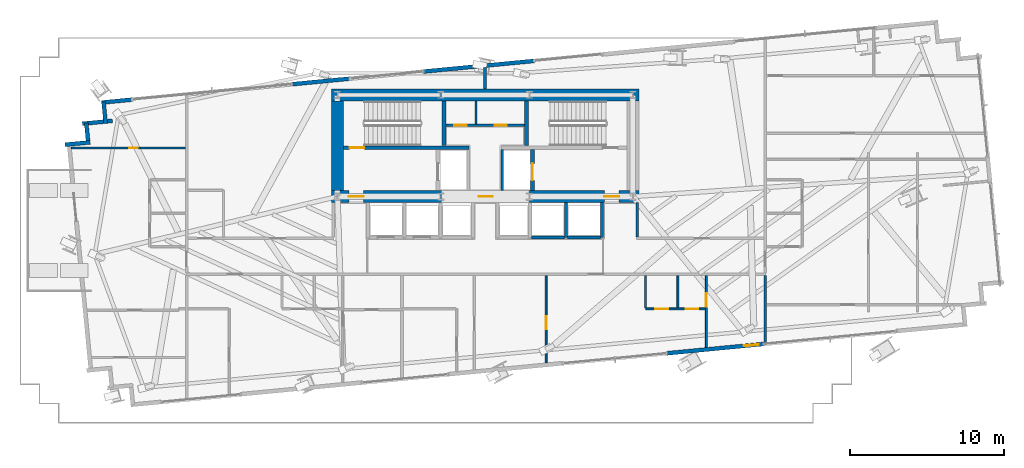
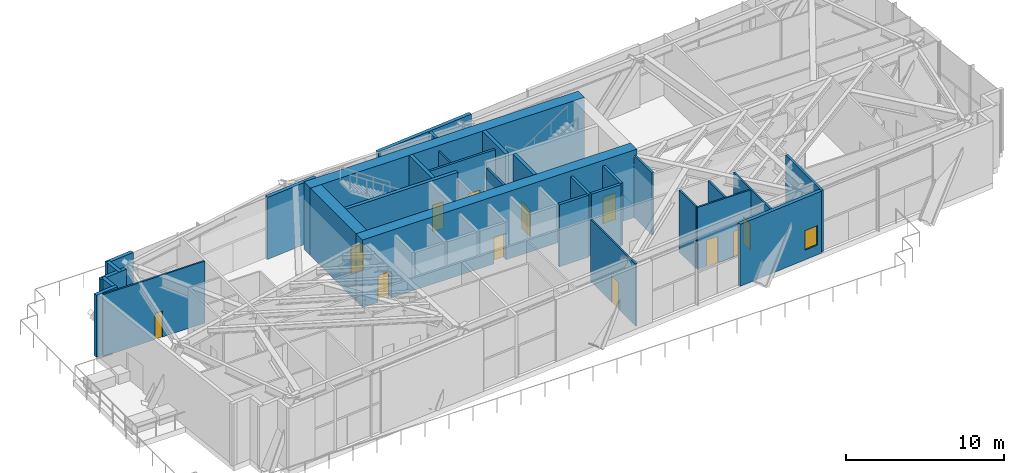
# One storey, part 22 of 28: 31 walls, 12 doors, 1 window, 13 openings.
"""IFC4 building model written with IfcOpenShell, lengths in metres."""

from ifc_helpers import new_model, si_unit, direction, frame, frame_2d, origin, place, context, subcontext, project, spatial, rectangle, extrude, source, transform, mapped, material, layer, layer_set, type_object, type_shapes, element, fill, save


model = new_model("IFC4")

# Units and contexts
model_context = context("Model", 3, precision=1e-05, world=origin(), true_north=direction((0.0, 1.0)))
body_context = subcontext(model_context, "Body", "Model", "MODEL_VIEW")
ifc_project = project(units=[si_unit("LENGTHUNIT", "METRE"), si_unit("AREAUNIT", "SQUARE_METRE"), si_unit("VOLUMEUNIT", "CUBIC_METRE"), si_unit("PLANEANGLEUNIT", "RADIAN"), si_unit("MASSUNIT", "GRAM", prefix="KILO")], contexts=[model_context])

# Site, building, storey
site_placement = place(None, origin())
site = spatial("IfcSite", under=ifc_project, at=site_placement, CompositionType="ELEMENT")
building_placement = place(site_placement, origin())
building = spatial("IfcBuilding", under=site, at=building_placement, Name="Astriad Promenade Condominiums", CompositionType="ELEMENT")
storey_placement = place(building_placement, frame((0.0, 0.0, 72.60009765625)))
storey = spatial("IfcBuildingStorey", under=building, at=storey_placement, Name="L20", CompositionType="ELEMENT", Elevation=72.60009765625)

# Wall, openings, doors
ifc_material_1 = material(Name="Concrete C80/95", Category="concrete")
ifc_layer_1 = layer(ifc_material_1, 0.800048828125)
ifc_layer_set_1 = layer_set([ifc_layer_1], Name="Concrete C80/95")
wall_type_1 = type_object("IfcWallType", Name="CW-SHEAR-800", PredefinedType="SHEAR", material=ifc_layer_set_1)
wall_1_placement = place(storey_placement, frame((26.0, 17.39990234375, 0.0), z_axis=(0.0, 0.0, 1.0), x_axis=(1.0, 0.0, 0.0)))
wall_1 = element("IfcWall", 1, at=wall_1_placement, inside=storey, type_object=wall_type_1, Name="CW-CORE-S-L20", PredefinedType="SHEAR", context=body_context, shape_type="SweptSolid", body=[
    extrude(rectangle(XDim=20.0, YDim=0.800048828125, at=frame_2d((10.0, 0.0))), origin(), (0.0, 0.0, 1.0), 5.199951171875),
])
opening_1_placement = place(wall_1_placement, frame((1.14990234375, 0.0, 0.0)))
opening_1 = element("IfcOpeningElement", 2, at=opening_1_placement, cuts=wall_1, Name="Opening FD90-ST-095", PredefinedType="OPENING", context=body_context, shape_type="SweptSolid", body=[
    extrude(rectangle(XDim=0.949951171875, YDim=2.06005859375, at=frame_2d((0.47509765625, 1.030029296875))), frame((0.0, 0.409912109375, 0.0), z_axis=(0.0, -1.0, 0.0), x_axis=(1.0, 0.0, 0.0)), (0.0, 0.0, 1.0), 0.820068359375),
])
opening_2_placement = place(wall_1_placement, frame((9.580078125, 0.0, 0.0)))
opening_2 = element("IfcOpeningElement", 3, at=opening_2_placement, cuts=wall_1, Name="Opening FD60-CSL-090", PredefinedType="OPENING", context=body_context, shape_type="SweptSolid", body=[
    extrude(rectangle(XDim=0.89990234375, YDim=2.06005859375, at=frame_2d((0.449951171875, 1.030029296875))), frame((0.0, 0.409912109375, 0.0), z_axis=(0.0, -1.0, 0.0), x_axis=(1.0, 0.0, 0.0)), (0.0, 0.0, 1.0), 0.820068359375),
])
opening_3_placement = place(wall_1_placement, frame((17.75, 0.0, 0.0)))
opening_3 = element("IfcOpeningElement", 4, at=opening_3_placement, cuts=wall_1, Name="Opening FD90-ST-095", PredefinedType="OPENING", context=body_context, shape_type="SweptSolid", body=[
    extrude(rectangle(XDim=0.949951171875, YDim=2.06005859375, at=frame_2d((0.47509765625, 1.030029296875))), frame((0.0, 0.409912109375, 0.0), z_axis=(0.0, -1.0, 0.0), x_axis=(1.0, 0.0, 0.0)), (0.0, 0.0, 1.0), 0.820068359375),
])
ifc_material_2 = material(Name="Fire-Rated Hollow Metal Stair Door")
door_type_1 = type_object("IfcDoorType", Name="FD90-ST-095", OperationType="NOTDEFINED", PredefinedType="DOOR", material=ifc_material_2)
shared_shape_1 = source(origin(), body_context, "Body", "SweptSolid", [
    extrude(rectangle(XDim=0.949951171875, YDim=2.06005859375, at=frame_2d((0.47509765625, 1.030029296875))), frame((0.0, 0.02490234375, 0.0), z_axis=(0.0, -1.0, 0.0), x_axis=(1.0, 0.0, 0.0)), (0.0, 0.0, 1.0), 0.050048828125),
])
type_shapes(door_type_1, [shared_shape_1])
door_1_placement = place(opening_1_placement, origin())
door_1 = element("IfcDoor", 5, at=door_1_placement, inside=storey, type_object=door_type_1, Name="D-FFW-L20", OperationType="SINGLE_SWING_LEFT", OverallHeight=2.06005859375, OverallWidth=0.949951171875, PredefinedType="DOOR", context=body_context, shape_type="MappedRepresentation", body=[
    mapped(shared_shape_1, transform((0.0, 0.0, 0.0), scale=1.0)),
])
fill(opening_1, door_1)
door_2_placement = place(opening_3_placement, origin())
door_2 = element("IfcDoor", 6, at=door_2_placement, inside=storey, type_object=door_type_1, Name="D-FFE-L20", OperationType="SINGLE_SWING_RIGHT", OverallHeight=2.06005859375, OverallWidth=0.949951171875, PredefinedType="DOOR", context=body_context, shape_type="MappedRepresentation", body=[
    mapped(shared_shape_1, transform((0.0, 0.0, 0.0), scale=1.0)),
])
fill(opening_3, door_2)
ifc_material_3 = material(Name="Fire-Rated Service Lobby Door")
door_type_2 = type_object("IfcDoorType", Name="FD60-CSL-090", OperationType="NOTDEFINED", PredefinedType="DOOR", material=ifc_material_3)
shared_shape_2 = source(origin(), body_context, "Body", "SweptSolid", [
    extrude(rectangle(XDim=0.89990234375, YDim=2.06005859375, at=frame_2d((0.449951171875, 1.030029296875))), frame((0.0, 0.02490234375, 0.0), z_axis=(0.0, -1.0, 0.0), x_axis=(1.0, 0.0, 0.0)), (0.0, 0.0, 1.0), 0.050048828125),
])
type_shapes(door_type_2, [shared_shape_2])
door_3_placement = place(opening_2_placement, origin())
door_3 = element("IfcDoor", 7, at=door_3_placement, inside=storey, type_object=door_type_2, Name="D-CSL-L20", OperationType="SINGLE_SWING_RIGHT", OverallHeight=2.06005859375, OverallWidth=0.89990234375, PredefinedType="DOOR", context=body_context, shape_type="MappedRepresentation", body=[
    mapped(shared_shape_2, transform((0.0, 0.0, 0.0), scale=1.0)),
])
fill(opening_2, door_3)

# Walls
wall_2_placement = place(storey_placement, frame((26.0, 24.0, 0.0), z_axis=(0.0, 0.0, 1.0), x_axis=(1.0, 0.0, 0.0)))
element("IfcWall", 8, at=wall_2_placement, inside=storey, type_object=wall_type_1, Name="CW-CORE-N-L20", PredefinedType="SHEAR", context=body_context, shape_type="SweptSolid", body=[
    extrude(rectangle(XDim=20.0, YDim=0.800048828125, at=frame_2d((10.0, 0.0))), origin(), (0.0, 0.0, 1.0), 5.199951171875),
])
wall_3_placement = place(storey_placement, frame((26.39990234375, 17.802001953125, 0.0), z_axis=(0.0, 0.0, 1.0), x_axis=(0.0, 1.0, 0.0)))
element("IfcWall", 9, at=wall_3_placement, inside=storey, type_object=wall_type_1, Name="CW-CORE-W-L20", PredefinedType="SHEAR", context=body_context, shape_type="SweptSolid", body=[
    extrude(rectangle(XDim=5.7958984375, YDim=0.800048828125, at=frame_2d((2.89794921875, 0.0))), origin(), (0.0, 0.0, 1.0), 5.199951171875),
])

# Wall, opening, door
ifc_material_4 = material(Name="Concrete C50/60", Category="concrete")
ifc_layer_2 = layer(ifc_material_4, 0.25)
ifc_layer_set_2 = layer_set([ifc_layer_2], Name="Concrete C50/60")
wall_type_2 = type_object("IfcWallType", Name="WALL-CORE-INT-250", PredefinedType="SOLIDWALL", material=ifc_layer_set_2)
wall_4_placement = place(storey_placement, frame((26.802001953125, 20.574951171875, 0.0), z_axis=(0.0, 0.0, 1.0), x_axis=(1.0, 0.0, 0.0)))
wall_4 = element("IfcWall", 10, at=wall_4_placement, inside=storey, type_object=wall_type_2, Name="CW-INT-H1-L20", PredefinedType="SOLIDWALL", context=body_context, shape_type="SweptSolid", body=[
    extrude(rectangle(XDim=8.14794921875, YDim=0.25, at=frame_2d((4.073974609375, 0.0))), origin(), (0.0, 0.0, 1.0), 5.199951171875),
])
opening_4_placement = place(wall_4_placement, frame((0.39794921875, 0.0, 0.0)))
opening_4 = element("IfcOpeningElement", 11, at=opening_4_placement, cuts=wall_4, Name="Opening FD90-ST-095", PredefinedType="OPENING", context=body_context, shape_type="SweptSolid", body=[
    extrude(rectangle(XDim=0.949951171875, YDim=2.06005859375, at=frame_2d((0.47509765625, 1.030029296875))), frame((0.0, 0.135009765625, 0.0), z_axis=(0.0, -1.0, 0.0), x_axis=(1.0, 0.0, 0.0)), (0.0, 0.0, 1.0), 0.27001953125),
])
door_4_placement = place(opening_4_placement, origin())
door_4 = element("IfcDoor", 12, at=door_4_placement, inside=storey, type_object=door_type_1, Name="D-ST1-L20", OperationType="SINGLE_SWING_RIGHT", OverallHeight=2.06005859375, OverallWidth=0.949951171875, PredefinedType="DOOR", context=body_context, shape_type="MappedRepresentation", body=[
    mapped(shared_shape_1, transform((0.0, 0.0, 0.0), scale=1.0)),
])
fill(opening_4, door_4)

# Walls
for number, where, z_axis, x_axis, name in (
    (13, (33.324951171875, 20.701904296875, 0.0), (0.0, 0.0, 1.0), (0.0, 1.0, 0.0), "CW-ST1-E-L20"),
    (14, (38.675048828125, 20.701904296875, 0.0), (0.0, 0.0, 1.0), (0.0, 1.0, 0.0), "CW-ST2-W-L20"),
):
    element("IfcWall", number, at=place(storey_placement, frame(where, z_axis=z_axis, x_axis=x_axis)), inside=storey, type_object=wall_type_2, Name=name, PredefinedType="SOLIDWALL", context=body_context, shape_type="SweptSolid", body=[
        extrude(rectangle(XDim=2.89599609375, YDim=0.25, at=frame_2d((1.447998046875, 0.0))), origin(), (0.0, 0.0, 1.0), 5.199951171875),
    ])

# Wall, opening, door
wall_5_placement = place(storey_placement, frame((39.074951171875, 17.802001953125, 0.0), z_axis=(0.0, 0.0, 1.0), x_axis=(0.0, 1.0, 0.0)))
wall_5 = element("IfcWall", 15, at=wall_5_placement, inside=storey, type_object=wall_type_2, Name="CW-FFL2-E-L20", PredefinedType="SOLIDWALL", context=body_context, shape_type="SweptSolid", body=[
    extrude(rectangle(XDim=2.64599609375, YDim=0.25, at=frame_2d((1.322998046875, 0.0))), origin(), (0.0, 0.0, 1.0), 5.199951171875),
])
opening_5_placement = place(wall_5_placement, frame((0.64794921875, 0.0, 0.0)))
opening_5 = element("IfcOpeningElement", 16, at=opening_5_placement, cuts=wall_5, Name="Opening LD-FFL-1122", PredefinedType="OPENING", context=body_context, shape_type="SweptSolid", body=[
    extrude(rectangle(XDim=1.10009765625, YDim=2.080078125, at=frame_2d((0.550048828125, 1.0400390625))), frame((0.0, 0.135009765625, 0.0), z_axis=(0.0, -1.0, 0.0), x_axis=(1.0, 0.0, 0.0)), (0.0, 0.0, 1.0), 0.27001953125),
])
ifc_material_5 = material(Name="Brushed Stainless Steel Fire Elevator Landing Door", Category="steel")
door_type_3 = type_object("IfcDoorType", Name="LD-FFL-1122", OperationType="NOTDEFINED", PredefinedType="DOOR", material=ifc_material_5)
shared_shape_3 = source(origin(), body_context, "Body", "SweptSolid", [
    extrude(rectangle(XDim=1.10009765625, YDim=2.080078125, at=frame_2d((0.550048828125, 1.0400390625))), frame((0.0, 0.02490234375, 0.0), z_axis=(0.0, -1.0, 0.0), x_axis=(1.0, 0.0, 0.0)), (0.0, 0.0, 1.0), 0.050048828125),
])
type_shapes(door_type_3, [shared_shape_3])
door_5_placement = place(opening_5_placement, origin())
door_5 = element("IfcDoor", 17, at=door_5_placement, inside=storey, type_object=door_type_3, Name="Elevator Landing Door FFL-2 (L20)", OperationType="SLIDING_TO_RIGHT", OverallHeight=2.080078125, OverallWidth=1.10009765625, PredefinedType="DOOR", context=body_context, shape_type="MappedRepresentation", body=[
    mapped(shared_shape_3, transform((0.0, 0.0, 0.0), scale=1.0)),
])
fill(opening_5, door_5)

# Wall
ifc_material_6 = material(Name="Fire-Rated Gypsum Partition")
ifc_layer_3 = layer(ifc_material_6, 0.159912109375)
ifc_layer_set_3 = layer_set([ifc_layer_3], Name="Fire-Rated Gypsum Partition")
wall_type_3 = type_object("IfcWallType", Name="WALL-CORR-160", PredefinedType="PARTITIONING", material=ifc_layer_set_3)
wall_6_placement = place(storey_placement, frame((37.10009765625, 17.802001953125, 0.0), z_axis=(0.0, 0.0, 1.0), x_axis=(0.0, 1.0, 0.0)))
element("IfcWall", 18, at=wall_6_placement, inside=storey, type_object=wall_type_3, Name="CW-FFL2-W-L20", PredefinedType="PARTITIONING", context=body_context, shape_type="SweptSolid", body=[
    extrude(rectangle(XDim=2.64599609375, YDim=0.159912109375, at=frame_2d((1.322998046875, 0.0))), origin(), (0.0, 0.0, 1.0), 4.77978515625),
])

# Wall, openings, doors
wall_7_placement = place(storey_placement, frame((33.451904296875, 22.030029296875, 0.0), z_axis=(0.0, 0.0, 1.0), x_axis=(1.0, 0.0, 0.0)))
wall_7 = element("IfcWall", 19, at=wall_7_placement, inside=storey, type_object=wall_type_3, Name="CW-AUX-N-L20", PredefinedType="PARTITIONING", context=body_context, shape_type="SweptSolid", body=[
    extrude(rectangle(XDim=5.09619140625, YDim=0.159912109375, at=frame_2d((2.548095703125, 0.0))), origin(), (0.0, 0.0, 1.0), 4.77978515625),
])
opening_6_placement = place(wall_7_placement, frame((0.5380859375, 0.0, 0.0)))
opening_6 = element("IfcOpeningElement", 20, at=opening_6_placement, cuts=wall_7, Name="Opening FD60-SV-080", PredefinedType="OPENING", context=body_context, shape_type="SweptSolid", body=[
    extrude(rectangle(XDim=0.800048828125, YDim=2.050048828125, at=frame_2d((0.39990234375, 1.02490234375))), frame((0.0, 0.08984375, 0.0), z_axis=(0.0, -1.0, 0.0), x_axis=(1.0, 0.0, 0.0)), (0.0, 0.0, 1.0), 0.179931640625),
])
opening_7_placement = place(wall_7_placement, frame((3.157958984375, 0.0, 0.0)))
opening_7 = element("IfcOpeningElement", 21, at=opening_7_placement, cuts=wall_7, Name="Opening FD60-SV-080", PredefinedType="OPENING", context=body_context, shape_type="SweptSolid", body=[
    extrude(rectangle(XDim=0.800048828125, YDim=2.050048828125, at=frame_2d((0.39990234375, 1.02490234375))), frame((0.0, 0.08984375, 0.0), z_axis=(0.0, -1.0, 0.0), x_axis=(1.0, 0.0, 0.0)), (0.0, 0.0, 1.0), 0.179931640625),
])
ifc_material_7 = material(Name="Fire-Rated Riser Closet Door")
door_type_4 = type_object("IfcDoorType", Name="FD60-SV-080", OperationType="NOTDEFINED", PredefinedType="DOOR", material=ifc_material_7)
shared_shape_4 = source(origin(), body_context, "Body", "SweptSolid", [
    extrude(rectangle(XDim=0.800048828125, YDim=2.050048828125, at=frame_2d((0.39990234375, 1.02490234375))), frame((0.0, 0.02490234375, 0.0), z_axis=(0.0, -1.0, 0.0), x_axis=(1.0, 0.0, 0.0)), (0.0, 0.0, 1.0), 0.050048828125),
])
type_shapes(door_type_4, [shared_shape_4])
door_6_placement = place(opening_6_placement, origin())
door_6 = element("IfcDoor", 22, at=door_6_placement, inside=storey, type_object=door_type_4, Name="D-AUX1-L20", OperationType="SINGLE_SWING_RIGHT", OverallHeight=2.050048828125, OverallWidth=0.800048828125, PredefinedType="DOOR", context=body_context, shape_type="MappedRepresentation", body=[
    mapped(shared_shape_4, transform((0.0, 0.0, 0.0), scale=1.0)),
])
fill(opening_6, door_6)
door_7_placement = place(opening_7_placement, origin())
door_7 = element("IfcDoor", 23, at=door_7_placement, inside=storey, type_object=door_type_4, Name="D-AUX2-L20", OperationType="SINGLE_SWING_LEFT", OverallHeight=2.050048828125, OverallWidth=0.800048828125, PredefinedType="DOOR", context=body_context, shape_type="MappedRepresentation", body=[
    mapped(shared_shape_4, transform((0.0, 0.0, 0.0), scale=1.0)),
])
fill(opening_7, door_7)

# Walls
wall_8_placement = place(storey_placement, frame((54.199951171875, 7.7783203125, 0.0), z_axis=(0.0, 0.0, 1.0), x_axis=(0.0, 1.0, 0.0)))
element("IfcWall", 24, at=wall_8_placement, inside=storey, type_object=wall_type_3, Name="PT-COR-E-L20", PredefinedType="PARTITIONING", context=body_context, shape_type="SweptSolid", body=[
    extrude(rectangle(XDim=4.48974609375, YDim=0.159912109375, at=frame_2d((2.244873046875, 0.0))), origin(), (0.0, 0.0, 1.0), 4.77978515625),
])
wall_9_placement = place(storey_placement, frame((45.8798828125, 14.761962890625, 0.0), z_axis=(0.0, 0.0, 1.0), x_axis=(0.0, 1.0, 0.0)))
element("IfcWall", 25, at=wall_9_placement, inside=storey, type_object=wall_type_3, Name="PT-ESPUR-E-L20", PredefinedType="PARTITIONING", context=body_context, shape_type="SweptSolid", body=[
    extrude(rectangle(XDim=2.236083984375, YDim=0.159912109375, at=frame_2d((1.1181640625, 0.0))), origin(), (0.0, 0.0, 1.0), 4.77978515625),
])
ifc_material_8 = material(Name="Acoustic Double-Stud Gypsum Partition")
ifc_layer_4 = layer(ifc_material_8, 0.199951171875)
ifc_layer_set_4 = layer_set([ifc_layer_4], Name="Acoustic Double-Stud Gypsum Partition")
wall_type_4 = type_object("IfcWallType", Name="WALL-DEMISING-200", PredefinedType="PARTITIONING", material=ifc_layer_set_4)
wall_10_placement = place(storey_placement, frame((36.0, 24.402099609375, 0.0), z_axis=(0.0, 0.0, 1.0), x_axis=(0.0, 1.0, 0.0)))
element("IfcWall", 26, at=wall_10_placement, inside=storey, type_object=wall_type_4, Name="PT-NC-MID-L20", PredefinedType="PARTITIONING", context=body_context, shape_type="SweptSolid", body=[
    extrude(rectangle(XDim=1.372802734375, YDim=0.199951171875, at=frame_2d((0.6865234375, 0.0))), origin(), (0.0, 0.0, 1.0), 4.77978515625),
])
ifc_material_9 = material(Name="Precast concrete C50/60", Category="concrete")
ifc_layer_5 = layer(ifc_material_9, 0.260009765625)
ifc_layer_set_5 = layer_set([ifc_layer_5], Name="Precast concrete C50/60")
wall_type_5 = type_object("IfcWallType", Name="WALL-EXT-TWR-260", PredefinedType="STANDARD", material=ifc_layer_set_5)
wall_11_placement = place(storey_placement, frame((8.701416015625, 20.767333984375, 0.0), z_axis=(0.0, 0.0, 1.0), x_axis=(0.995394563142, 0.095862733462, 0.0)))
element("IfcWall", 27, at=wall_11_placement, inside=storey, type_object=wall_type_5, Name="W-SER-L20-04", PredefinedType="STANDARD", context=body_context, shape_type="SweptSolid", body=[
    extrude(rectangle(XDim=1.64013671875, YDim=0.260009765625, at=frame_2d((0.820068359375, 0.0))), origin(), (0.0, 0.0, 1.0), 4.77978515625),
])
wall_12_placement = place(storey_placement, frame((10.193359375, 21.026611328125, 0.0), z_axis=(0.0, 0.0, 1.0), x_axis=(-0.095740721699, 0.995406306092, 0.0)))
element("IfcWall", 28, at=wall_12_placement, inside=storey, type_object=wall_type_5, Name="W-SER-L20-05", PredefinedType="STANDARD", context=body_context, shape_type="SweptSolid", body=[
    extrude(rectangle(XDim=1.150146484375, YDim=0.260009765625, at=frame_2d((0.5751953125, 0.0))), origin(), (0.0, 0.0, 1.0), 4.77978515625),
])
wall_13_placement = place(storey_placement, frame((9.825927734375, 22.13134765625, 0.0), z_axis=(0.0, 0.0, 1.0), x_axis=(0.995400351379, 0.095802612041, 0.0)))
element("IfcWall", 29, at=wall_13_placement, inside=storey, type_object=wall_type_5, Name="W-SER-L20-06", PredefinedType="STANDARD", context=body_context, shape_type="SweptSolid", body=[
    extrude(rectangle(XDim=1.959716796875, YDim=0.260009765625, at=frame_2d((0.97998046875, 0.0))), origin(), (0.0, 0.0, 1.0), 4.77978515625),
])
wall_14_placement = place(storey_placement, frame((11.34130859375, 22.146728515625, 0.0), z_axis=(0.0, 0.0, 1.0), x_axis=(-0.09589913835, 0.995391056452, 0.0)))
element("IfcWall", 30, at=wall_14_placement, inside=storey, type_object=wall_type_5, Name="W-SER-L20-07", PredefinedType="STANDARD", context=body_context, shape_type="SweptSolid", body=[
    extrude(rectangle(XDim=1.39501953125, YDim=0.260009765625, at=frame_2d((0.697509765625, 0.0))), origin(), (0.0, 0.0, 1.0), 4.77978515625),
])
wall_15_placement = place(storey_placement, frame((11.07958984375, 23.508056640625, 0.0), z_axis=(0.0, 0.0, 1.0), x_axis=(0.995398960025, 0.095817067274, 0.0)))
element("IfcWall", 31, at=wall_15_placement, inside=storey, type_object=wall_type_5, Name="W-SGCOL-L20-N-1", PredefinedType="STANDARD", context=body_context, shape_type="SweptSolid", body=[
    extrude(rectangle(XDim=2.000244140625, YDim=0.260009765625, at=frame_2d((1.0, 0.0))), origin(), (0.0, 0.0, 1.0), 4.77978515625),
])
wall_16_placement = place(storey_placement, frame((23.452392578125, 24.699462890625, 0.0), z_axis=(0.0, 0.0, 1.0), x_axis=(0.995396562626, 0.095841969468, 0.0)))
element("IfcWall", 32, at=wall_16_placement, inside=storey, type_object=wall_type_5, Name="W-SGCOL-L20-N-2", PredefinedType="STANDARD", context=body_context, shape_type="SweptSolid", body=[
    extrude(rectangle(XDim=3.77001953125, YDim=0.260009765625, at=frame_2d((1.885009765625, 0.0))), origin(), (0.0, 0.0, 1.0), 4.77978515625),
])
wall_17_placement = place(storey_placement, frame((31.992919921875, 25.521728515625, 0.0), z_axis=(0.0, 0.0, 1.0), x_axis=(0.99539768453, 0.095830316879, 0.0)))
element("IfcWall", 33, at=wall_17_placement, inside=storey, type_object=wall_type_5, Name="W-SGCOL-L20-N-3", PredefinedType="STANDARD", context=body_context, shape_type="SweptSolid", body=[
    extrude(rectangle(XDim=7.219970703125, YDim=0.260009765625, at=frame_2d((3.60986328125, 0.0))), origin(), (0.0, 0.0, 1.0), 4.77978515625),
])

# Wall, opening, window
wall_18_placement = place(storey_placement, frame((54.08154296875, 7.817138671875, 0.0), z_axis=(0.0, 0.0, 1.0), x_axis=(-0.995397041205, -0.095836998914, 0.0)))
wall_18 = element("IfcWall", 34, at=wall_18_placement, inside=storey, type_object=wall_type_5, Name="W-SGCOL-L20-S-2", PredefinedType="STANDARD", context=body_context, shape_type="SweptSolid", body=[
    extrude(rectangle(XDim=6.31005859375, YDim=0.260009765625, at=frame_2d((3.155029296875, 0.0))), origin(), (0.0, 0.0, 1.0), 4.77978515625),
])
opening_8_placement = place(wall_18_placement, frame((0.320068359375, 0.0, 0.75)))
opening_8 = element("IfcOpeningElement", 35, at=opening_8_placement, cuts=wall_18, Name="Opening WIN-TWR-0915", PredefinedType="OPENING", context=body_context, shape_type="SweptSolid", body=[
    extrude(rectangle(XDim=0.949951171875, YDim=1.5, at=frame_2d((0.47509765625, 0.75))), frame((0.0, 0.139892578125, 0.0), z_axis=(0.0, -1.0, 0.0), x_axis=(1.0, 0.0, 0.0)), (0.0, 0.0, 1.0), 0.280029296875),
])
ifc_material_10 = material(Name="Dark Tinted Triple-Glazed Aluminium Window", Category="aluminium")
window_type = type_object("IfcWindowType", Name="WIN-TWR-0915", PartitioningType="SINGLE_PANEL", PredefinedType="WINDOW", material=ifc_material_10)
shared_shape_5 = source(origin(), body_context, "Body", "SweptSolid", [
    extrude(rectangle(XDim=0.949951171875, YDim=1.5, at=frame_2d((0.47509765625, 0.75))), frame((0.0, 0.030029296875, 0.0), z_axis=(0.0, -1.0, 0.0), x_axis=(1.0, 0.0, 0.0)), (0.0, 0.0, 1.0), 0.06005859375),
])
type_shapes(window_type, [shared_shape_5])
window_placement = place(opening_8_placement, origin())
window = element("IfcWindow", 36, at=window_placement, inside=storey, type_object=window_type, Name="WIN-DW-L20-S2-BD1", OverallHeight=1.5, OverallWidth=0.949951171875, PartitioningType="SINGLE_PANEL", PredefinedType="WINDOW", context=body_context, shape_type="MappedRepresentation", body=[
    mapped(shared_shape_5, transform((0.0, 0.0, 0.0), scale=1.0)),
])
fill(opening_8, window)

# Wall
ifc_material_11 = material(Name="Acoustic Metal-Stud Gypsum Partition")
ifc_layer_6 = layer(ifc_material_11, 0.1201171875)
ifc_layer_set_6 = layer_set([ifc_layer_6], Name="Acoustic Metal-Stud Gypsum Partition")
wall_type_6 = type_object("IfcWallType", Name="WALL-PART-120", PredefinedType="PARTITIONING", material=ifc_layer_set_6)
wall_19_placement = place(storey_placement, frame((35.39990234375, 22.112060546875, 0.0), z_axis=(0.0, 0.0, 1.0), x_axis=(0.0, 1.0, 0.0)))
element("IfcWall", 37, at=wall_19_placement, inside=storey, type_object=wall_type_6, Name="CW-AUX-V1-L20", PredefinedType="PARTITIONING", context=body_context, shape_type="SweptSolid", body=[
    extrude(rectangle(XDim=1.48583984375, YDim=0.1201171875, at=frame_2d((0.742919921875, 0.0))), origin(), (0.0, 0.0, 1.0), 4.77978515625),
])

# Wall, opening, door
wall_20_placement = place(storey_placement, frame((50.3701171875, 7.592529296875, 0.0), z_axis=(0.0, 0.0, 1.0), x_axis=(0.0, 1.0, 0.0)))
wall_20 = element("IfcWall", 38, at=wall_20_placement, inside=storey, type_object=wall_type_6, Name="PT-L20-S2-BD1", PredefinedType="PARTITIONING", context=body_context, shape_type="SweptSolid", body=[
    extrude(rectangle(XDim=4.675537109375, YDim=0.1201171875, at=frame_2d((2.337890625, 0.0))), origin(), (0.0, 0.0, 1.0), 4.77978515625),
])
opening_9_placement = place(wall_20_placement, frame((2.632568359375, 0.0, 0.0)))
opening_9 = element("IfcOpeningElement", 39, at=opening_9_placement, cuts=wall_20, Name="Opening D-INT-090", PredefinedType="OPENING", context=body_context, shape_type="SweptSolid", body=[
    extrude(rectangle(XDim=0.89990234375, YDim=2.050048828125, at=frame_2d((0.449951171875, 1.02490234375))), frame((0.0, 0.070068359375, 0.0), z_axis=(0.0, -1.0, 0.0), x_axis=(1.0, 0.0, 0.0)), (0.0, 0.0, 1.0), 0.14013671875),
])
ifc_material_12 = material(Name="Painted Solid-Core Timber Bedroom Door", Category="wood")
door_type_5 = type_object("IfcDoorType", Name="D-INT-090", OperationType="NOTDEFINED", PredefinedType="DOOR", material=ifc_material_12)
shared_shape_6 = source(origin(), body_context, "Body", "SweptSolid", [
    extrude(rectangle(XDim=0.89990234375, YDim=2.050048828125, at=frame_2d((0.449951171875, 1.02490234375))), frame((0.0, 0.02490234375, 0.0), z_axis=(0.0, -1.0, 0.0), x_axis=(1.0, 0.0, 0.0)), (0.0, 0.0, 1.0), 0.050048828125),
])
type_shapes(door_type_5, [shared_shape_6])
door_8_placement = place(opening_9_placement, origin())
door_8 = element("IfcDoor", 40, at=door_8_placement, inside=storey, type_object=door_type_5, Name="D-BD1-L20-S2", OperationType="SINGLE_SWING_RIGHT", OverallHeight=2.050048828125, OverallWidth=0.89990234375, PredefinedType="DOOR", context=body_context, shape_type="MappedRepresentation", body=[
    mapped(shared_shape_6, transform((0.0, 0.0, 0.0), scale=1.0)),
])
fill(opening_9, door_8)

# Wall, openings, doors
wall_21_placement = place(storey_placement, frame((46.419921875, 10.10009765625, 0.0), z_axis=(0.0, 0.0, 1.0), x_axis=(1.0, 0.0, 0.0)))
wall_21 = element("IfcWall", 41, at=wall_21_placement, inside=storey, type_object=wall_type_6, Name="PT-L20-S2-PS", PredefinedType="PARTITIONING", context=body_context, shape_type="SweptSolid", body=[
    extrude(rectangle(XDim=3.88818359375, YDim=0.1201171875, at=frame_2d((1.944091796875, 0.0))), origin(), (0.0, 0.0, 1.0), 4.77978515625),
])
opening_10_placement = place(wall_21_placement, frame((0.625, 0.0, 0.0)))
opening_10 = element("IfcOpeningElement", 42, at=opening_10_placement, cuts=wall_21, Name="Opening D-INT-085", PredefinedType="OPENING", context=body_context, shape_type="SweptSolid", body=[
    extrude(rectangle(XDim=0.85009765625, YDim=2.050048828125, at=frame_2d((0.425048828125, 1.02490234375))), frame((0.0, 0.070068359375, 0.0), z_axis=(0.0, -1.0, 0.0), x_axis=(1.0, 0.0, 0.0)), (0.0, 0.0, 1.0), 0.14013671875),
])
opening_11_placement = place(wall_21_placement, frame((2.625, 0.0, 0.0)))
opening_11 = element("IfcOpeningElement", 43, at=opening_11_placement, cuts=wall_21, Name="Opening D-WET-080", PredefinedType="OPENING", context=body_context, shape_type="SweptSolid", body=[
    extrude(rectangle(XDim=0.800048828125, YDim=2.02001953125, at=frame_2d((0.39990234375, 1.010009765625))), frame((0.0, 0.070068359375, 0.0), z_axis=(0.0, -1.0, 0.0), x_axis=(1.0, 0.0, 0.0)), (0.0, 0.0, 1.0), 0.14013671875),
])
ifc_material_13 = material(Name="Moisture-Resistant Timber Bathroom Door", Category="wood")
door_type_6 = type_object("IfcDoorType", Name="D-WET-080", OperationType="NOTDEFINED", PredefinedType="DOOR", material=ifc_material_13)
shared_shape_7 = source(origin(), body_context, "Body", "SweptSolid", [
    extrude(rectangle(XDim=0.800048828125, YDim=2.02001953125, at=frame_2d((0.39990234375, 1.010009765625))), frame((0.0, 0.02490234375, 0.0), z_axis=(0.0, -1.0, 0.0), x_axis=(1.0, 0.0, 0.0)), (0.0, 0.0, 1.0), 0.050048828125),
])
type_shapes(door_type_6, [shared_shape_7])
door_9_placement = place(opening_11_placement, origin())
door_9 = element("IfcDoor", 44, at=door_9_placement, inside=storey, type_object=door_type_6, Name="D-BTH-L20-S2", OperationType="SINGLE_SWING_RIGHT", OverallHeight=2.02001953125, OverallWidth=0.800048828125, PredefinedType="DOOR", context=body_context, shape_type="MappedRepresentation", body=[
    mapped(shared_shape_7, transform((0.0, 0.0, 0.0), scale=1.0)),
])
fill(opening_11, door_9)
ifc_material_14 = material(Name="Painted Solid-Core Timber Room Door", Category="wood")
door_type_7 = type_object("IfcDoorType", Name="D-INT-085", OperationType="NOTDEFINED", PredefinedType="DOOR", material=ifc_material_14)
shared_shape_8 = source(origin(), body_context, "Body", "SweptSolid", [
    extrude(rectangle(XDim=0.85009765625, YDim=2.050048828125, at=frame_2d((0.425048828125, 1.02490234375))), frame((0.0, 0.02490234375, 0.0), z_axis=(0.0, -1.0, 0.0), x_axis=(1.0, 0.0, 0.0)), (0.0, 0.0, 1.0), 0.050048828125),
])
type_shapes(door_type_7, [shared_shape_8])
door_10_placement = place(opening_10_placement, origin())
door_10 = element("IfcDoor", 45, at=door_10_placement, inside=storey, type_object=door_type_7, Name="D-KIT-L20-S2", OperationType="SINGLE_SWING_LEFT", OverallHeight=2.050048828125, OverallWidth=0.85009765625, PredefinedType="DOOR", context=body_context, shape_type="MappedRepresentation", body=[
    mapped(shared_shape_8, transform((0.0, 0.0, 0.0), scale=1.0)),
])
fill(opening_10, door_10)

# Walls
for number, where, z_axis, x_axis, name in (
    (46, (48.52001953125, 10.162109375, 0.0), (0.0, 0.0, 1.0), (0.0, 1.0, 0.0), "PT-L20-S2-PBK"),
    (47, (46.419921875, 10.162109375, 0.0), (0.0, 0.0, 1.0), (0.0, 1.0, 0.0), "PT-L20-S2-PKW"),
):
    element("IfcWall", number, at=place(storey_placement, frame(where, z_axis=z_axis, x_axis=x_axis)), inside=storey, type_object=wall_type_6, Name=name, PredefinedType="PARTITIONING", context=body_context, shape_type="SweptSolid", body=[
        extrude(rectangle(XDim=2.10595703125, YDim=0.1201171875, at=frame_2d((1.052978515625, 0.0))), origin(), (0.0, 0.0, 1.0), 4.77978515625),
    ])

# Wall, opening, door
wall_22_placement = place(storey_placement, frame((39.9609375, 6.590087890625, 0.0), z_axis=(0.0, 0.0, 1.0), x_axis=(0.0, 1.0, 0.0)))
wall_22 = element("IfcWall", 48, at=wall_22_placement, inside=storey, type_object=wall_type_6, Name="PT-L20-S2-CAP2", PredefinedType="PARTITIONING", context=body_context, shape_type="SweptSolid", body=[
    extrude(rectangle(XDim=5.677978515625, YDim=0.1201171875, at=frame_2d((2.8388671875, 0.0))), origin(), (0.0, 0.0, 1.0), 4.77978515625),
])
opening_12_placement = place(wall_22_placement, frame((2.181884765625, 0.0, 0.0)))
opening_12 = element("IfcOpeningElement", 49, at=opening_12_placement, cuts=wall_22, Name="Opening D-INT-085", PredefinedType="OPENING", context=body_context, shape_type="SweptSolid", body=[
    extrude(rectangle(XDim=0.85009765625, YDim=2.050048828125, at=frame_2d((0.425048828125, 1.02490234375))), frame((0.0, 0.070068359375, 0.0), z_axis=(0.0, -1.0, 0.0), x_axis=(1.0, 0.0, 0.0)), (0.0, 0.0, 1.0), 0.14013671875),
])
door_11_placement = place(opening_12_placement, origin())
door_11 = element("IfcDoor", 50, at=door_11_placement, inside=storey, type_object=door_type_7, Name="D-CAP2-L20-S2", OperationType="SINGLE_SWING_RIGHT", OverallHeight=2.050048828125, OverallWidth=0.85009765625, PredefinedType="DOOR", context=body_context, shape_type="MappedRepresentation", body=[
    mapped(shared_shape_8, transform((0.0, 0.0, 0.0), scale=1.0)),
])
fill(opening_12, door_11)

wall_23_placement = place(storey_placement, frame((9.115966796875, 20.552001953125, 0.0), z_axis=(0.0, 0.0, 1.0), x_axis=(1.0, 0.0, 0.0)))
wall_23 = element("IfcWall", 51, at=wall_23_placement, inside=storey, type_object=wall_type_6, Name="PT-L20-W1-B1", PredefinedType="PARTITIONING", context=body_context, shape_type="SweptSolid", body=[
    extrude(rectangle(XDim=7.402099609375, YDim=0.1201171875, at=frame_2d((3.701171875, 0.0))), origin(), (0.0, 0.0, 1.0), 4.77978515625),
])
opening_13_placement = place(wall_23_placement, frame((3.760986328125, 0.0, 0.0)))
opening_13 = element("IfcOpeningElement", 52, at=opening_13_placement, cuts=wall_23, Name="Opening D-AC-055", PredefinedType="OPENING", context=body_context, shape_type="SweptSolid", body=[
    extrude(rectangle(XDim=0.550048828125, YDim=2.0, at=frame_2d((0.27490234375, 1.0))), frame((0.0, 0.070068359375, 0.0), z_axis=(0.0, -1.0, 0.0), x_axis=(1.0, 0.0, 0.0)), (0.0, 0.0, 1.0), 0.14013671875),
])
ifc_material_15 = material(Name="Painted Timber Access Door", Category="wood")
door_type_8 = type_object("IfcDoorType", Name="D-AC-055", OperationType="NOTDEFINED", PredefinedType="DOOR", material=ifc_material_15)
shared_shape_9 = source(origin(), body_context, "Body", "SweptSolid", [
    extrude(rectangle(XDim=0.550048828125, YDim=2.0, at=frame_2d((0.27490234375, 1.0))), frame((0.0, 0.02490234375, 0.0), z_axis=(0.0, -1.0, 0.0), x_axis=(1.0, 0.0, 0.0)), (0.0, 0.0, 1.0), 0.050048828125),
])
type_shapes(door_type_8, [shared_shape_9])
door_12_placement = place(opening_13_placement, origin())
door_12 = element("IfcDoor", 53, at=door_12_placement, inside=storey, type_object=door_type_8, Name="D-BD1-L20-W1", OperationType="SINGLE_SWING_RIGHT", OverallHeight=2.0, OverallWidth=0.550048828125, PredefinedType="DOOR", context=body_context, shape_type="MappedRepresentation", body=[
    mapped(shared_shape_9, transform((0.0, 0.0, 0.0), scale=1.0)),
])
fill(opening_13, door_12)

# Walls
ifc_material_16 = material(Name="Gypsum Shaftliner Assembly")
ifc_layer_7 = layer(ifc_material_16, 0.199951171875)
ifc_layer_set_7 = layer_set([ifc_layer_7], Name="Gypsum Shaftliner Assembly")
wall_type_7 = type_object("IfcWallType", Name="WALL-SHAFT-200", PredefinedType="PARTITIONING", material=ifc_layer_set_7)
for number, where, z_axis, x_axis, name in (
    (54, (41.25, 14.75, 0.0), (0.0, 0.0, 1.0), (0.0, 1.0, 0.0), "PL-H-DIV-L20"),
    (55, (43.60009765625, 14.75, 0.0), (0.0, 0.0, 1.0), (0.0, 1.0, 0.0), "PL-E-OUT-L20"),
):
    element("IfcWall", number, at=place(storey_placement, frame(where, z_axis=z_axis, x_axis=x_axis)), inside=storey, type_object=wall_type_7, Name=name, PredefinedType="PARTITIONING", context=body_context, shape_type="SweptSolid", body=[
        extrude(rectangle(XDim=2.248046875, YDim=0.199951171875, at=frame_2d((1.1240234375, 0.0))), origin(), (0.0, 0.0, 1.0), 4.77978515625),
    ])
for number, where, z_axis, x_axis, name in (
    (56, (39.001953125, 14.75, 0.0), (0.0, 0.0, 1.0), (1.0, 0.0, 0.0), "PL-H-FRT-L20"),
    (57, (41.35205078125, 14.75, 0.0), (0.0, 0.0, 1.0), (1.0, 0.0, 0.0), "PL-H-FRT-L20-S2"),
):
    element("IfcWall", number, at=place(storey_placement, frame(where, z_axis=z_axis, x_axis=x_axis)), inside=storey, type_object=wall_type_7, Name=name, PredefinedType="PARTITIONING", context=body_context, shape_type="SweptSolid", body=[
        extrude(rectangle(XDim=2.14599609375, YDim=0.199951171875, at=frame_2d((1.072998046875, 0.0))), origin(), (0.0, 0.0, 1.0), 4.77978515625),
    ])

save(model, "model.ifc")
